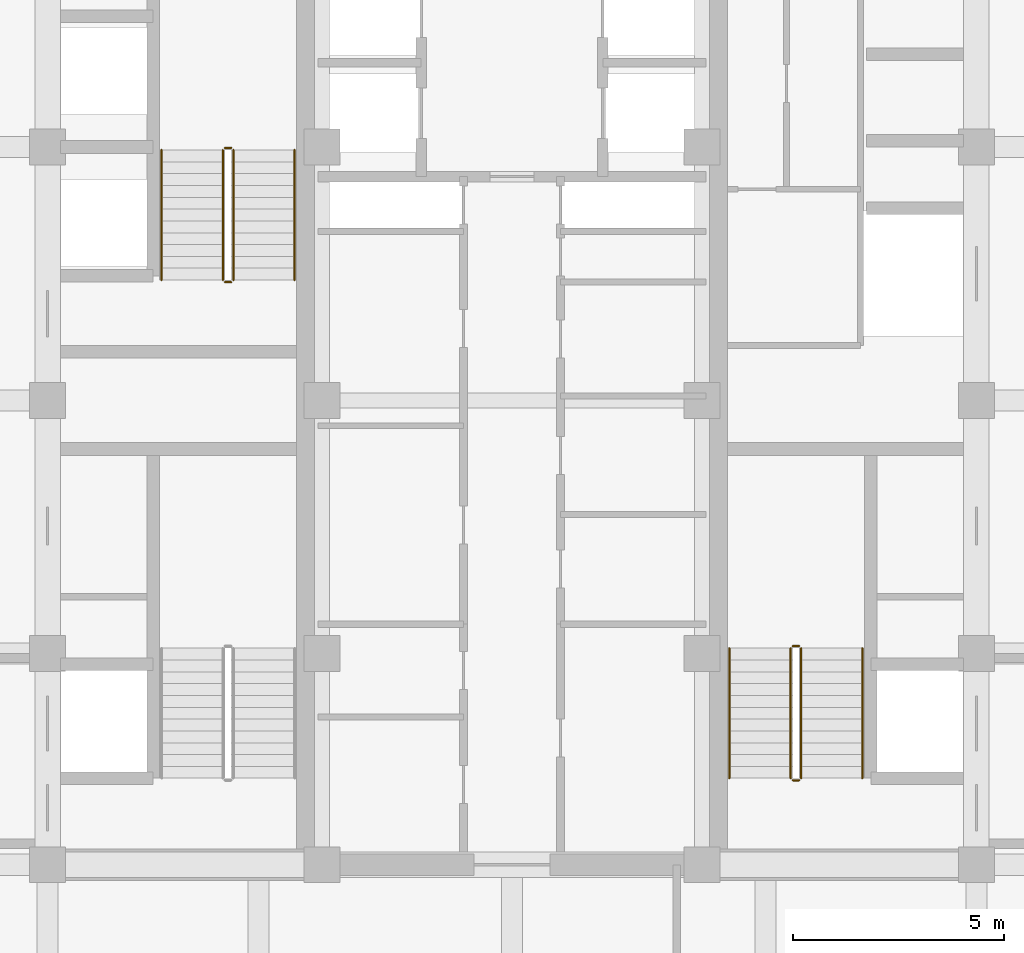
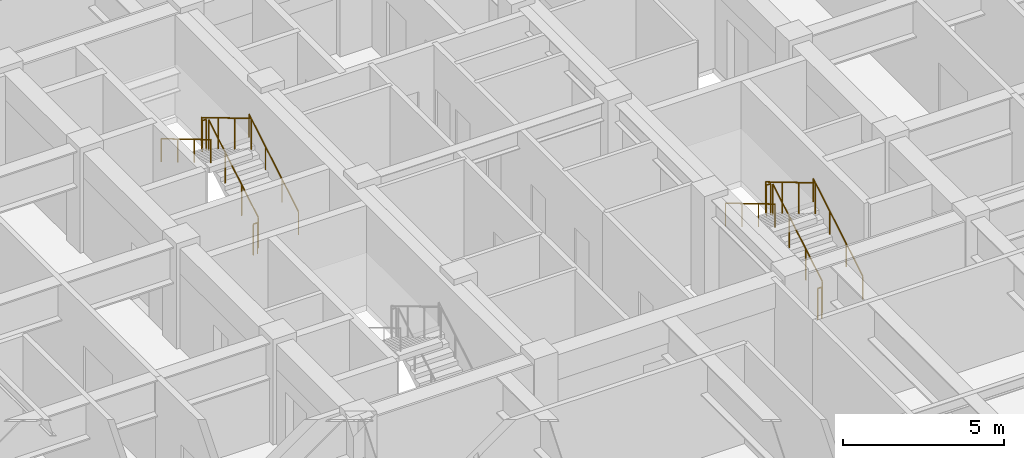
# One storey, part 26 of 26: 12 railings.
"""IFC4 building model written with IfcOpenShell, lengths in metres."""

import ifcopenshell
import ifcopenshell.guid

model = None  # the IFC model being written
_history = None  # IfcOwnerHistory: only IFC2X3 demands one
_inside = {}  # id of a spatial element -> (the spatial element, [elements in it])
_under = {}  # id of a project, library or spatial element -> (it, [spatial elements below it])
_declared = {}  # id of a project -> (the project, [libraries it declares])
_typed = {}  # id of a type object -> (the type object, [elements of that type])
_made_of = {}  # id of a material, layer set ... -> (it, [elements and type objects made of it])


def new_model(schema):
    """Start an empty IFC model of exactly this schema.

    Asked for "IFC4X3", IfcOpenShell would pick the latest addendum, in which some entities
    have other attributes; the version numbers below select the first issue.
    IFC2X3 requires an IfcOwnerHistory on every rooted entity: one is made here for all.
    """
    global model, _history
    if schema == "IFC4X3":
        model = ifcopenshell.file(schema_version=(4, 3, 0, 0))
    else:
        model = ifcopenshell.file(schema=schema)
    _inside.clear()
    _under.clear()
    _declared.clear()
    _typed.clear()
    _made_of.clear()
    _history = None
    if model.schema == "IFC2X3":
        org = make("IfcOrganization", Name="unknown")
        user = make(
            "IfcPersonAndOrganization",
            ThePerson=make("IfcPerson", FamilyName="unknown"),
            TheOrganization=org,
        )
        app = make(
            "IfcApplication",
            ApplicationDeveloper=org,
            Version="unknown",
            ApplicationFullName="unknown",
            ApplicationIdentifier="unknown",
        )
        _history = make(
            "IfcOwnerHistory",
            OwningUser=user,
            OwningApplication=app,
            ChangeAction="ADDED",
            CreationDate=0,
        )
    return model


def make(cls, **values):
    """One entity of the class cls with the attributes given. An attribute that is None is left unset."""
    return model.create_entity(
        cls, **{name: value for name, value in values.items() if value is not None}
    )


def rooted(cls, **values):
    """An entity with a GlobalId (a new one), such as an element, a storey or a relation."""
    return make(cls, GlobalId=ifcopenshell.guid.new(), OwnerHistory=_history, **values)


def si_unit(unit_type, name, prefix=None):
    """IfcSIUnit, for example si_unit("LENGTHUNIT", "METRE", prefix="MILLI")."""
    return make("IfcSIUnit", UnitType=unit_type, Prefix=prefix, Name=name)


def assignment(units):
    """IfcUnitAssignment: the units of a project."""
    return None if units is None else make("IfcUnitAssignment", Units=units)


def point(xyz):
    """IfcCartesianPoint."""
    return None if xyz is None else make("IfcCartesianPoint", Coordinates=xyz)


def direction(xyz):
    """IfcDirection."""
    return None if xyz is None else make("IfcDirection", DirectionRatios=xyz)


def frame(location, z_axis=None, x_axis=None):
    """IfcAxis2Placement3D, a coordinate frame: its origin and axes. An axis left out is left unset."""
    return make(
        "IfcAxis2Placement3D",
        Location=point(location),
        Axis=direction(z_axis),
        RefDirection=direction(x_axis),
    )


def frame_2d(location, x_axis=None):
    """IfcAxis2Placement2D, a coordinate frame in the plane: its origin and x axis."""
    return make(
        "IfcAxis2Placement2D", Location=point(location), RefDirection=direction(x_axis)
    )


def origin():
    """The frame at (0, 0, 0) with its axes left unset."""
    return frame((0.0, 0.0, 0.0))


def origin_2d():
    """The frame at (0, 0) in the plane with its x axis left unset."""
    return frame_2d((0.0, 0.0))


def place(relative_to, where):
    """IfcLocalPlacement: puts the frame where relative to a parent placement (None: the world)."""
    return make(
        "IfcLocalPlacement", PlacementRelTo=relative_to, RelativePlacement=where
    )


def context(
    kind, dimensions, precision=None, world=None, true_north=None, identifier=None
):
    """IfcGeometricRepresentationContext, for example the 3D "Model" context."""
    return make(
        "IfcGeometricRepresentationContext",
        ContextIdentifier=identifier,
        ContextType=kind,
        CoordinateSpaceDimension=dimensions,
        Precision=precision,
        WorldCoordinateSystem=world,
        TrueNorth=true_north,
    )


def subcontext(parent, identifier, kind, view, scale=None):
    """IfcGeometricRepresentationSubContext, for example "Body" below "Model"."""
    return make(
        "IfcGeometricRepresentationSubContext",
        ContextIdentifier=identifier,
        ContextType=kind,
        ParentContext=parent,
        TargetScale=scale,
        TargetView=view,
    )


def project(units=None, contexts=None):
    """IfcProject with its units and contexts."""
    return rooted(
        "IfcProject",
        Name="project",
        RepresentationContexts=contexts,
        UnitsInContext=assignment(units),
    )


def spatial(cls, under=None, at=None, **own):
    """A site, building, storey or space (cls), placed at a placement, below another one or the project."""
    s = rooted(cls, ObjectPlacement=at, **own)
    if under is not None:
        _under.setdefault(under.id(), (under, []))[1].append(s)
    return s


def profile(cls, at=None, kind="AREA", **sizes):
    """A parametric profile (cls). Its sizes go by their IFC names, for example OverallWidth=200.0."""
    return make(cls, ProfileType=kind, Position=at, **sizes)


def circle(**sizes):
    """IfcCircleProfileDef."""
    return profile("IfcCircleProfileDef", **sizes)


def extrude(swept, where, along, depth):
    """IfcExtrudedAreaSolid: the profile swept, set in the frame where, extruded along a direction by depth."""
    return make(
        "IfcExtrudedAreaSolid",
        SweptArea=swept,
        Position=where,
        ExtrudedDirection=direction(along),
        Depth=depth,
    )


def shape(context_of_items, identifier, shape_type, items):
    """IfcShapeRepresentation: the items that make up one representation, for example the "Body"."""
    return make(
        "IfcShapeRepresentation",
        ContextOfItems=context_of_items,
        RepresentationIdentifier=identifier,
        RepresentationType=shape_type,
        Items=items,
    )


def source(mapping_origin, context_of_items, identifier, shape_type, items):
    """IfcRepresentationMap: a shape defined once, which mapped items show again and again."""
    return make(
        "IfcRepresentationMap",
        MappingOrigin=mapping_origin,
        MappedRepresentation=shape(context_of_items, identifier, shape_type, items),
    )


def transform(
    local_origin,
    x_axis=None,
    y_axis=None,
    z_axis=None,
    scale=None,
    scale2=None,
    scale3=None,
    uniform=True,
):
    """IfcCartesianTransformationOperator3D, or its non-uniform kind. x_axis, y_axis, z_axis: its Axis1, 2, 3."""
    if uniform:
        return make(
            "IfcCartesianTransformationOperator3D",
            Axis1=direction(x_axis),
            Axis2=direction(y_axis),
            LocalOrigin=point(local_origin),
            Scale=scale,
            Axis3=direction(z_axis),
        )
    return make(
        "IfcCartesianTransformationOperator3DnonUniform",
        Axis1=direction(x_axis),
        Axis2=direction(y_axis),
        LocalOrigin=point(local_origin),
        Scale=scale,
        Axis3=direction(z_axis),
        Scale2=scale2,
        Scale3=scale3,
    )


def mapped(mapping_source, mapping_target):
    """IfcMappedItem: shows the shape of a source again, moved by a transform."""
    return make(
        "IfcMappedItem", MappingSource=mapping_source, MappingTarget=mapping_target
    )


def material(Name=None, Category=None):
    """IfcMaterial."""
    return make("IfcMaterial", Name=Name, Category=Category)


def made_of(thing, what):
    """Note that an element or type object is made of a material, layer set ...; save() writes the relation."""
    if what is not None:
        _made_of.setdefault(what.id(), (what, []))[1].append(thing)
    return thing


def type_object(cls, material=None, **own):
    """A type object (cls), such as IfcWallType, which elements share."""
    return made_of(rooted(cls, **own), material)


def element(
    cls,
    number,
    at=None,
    inside=None,
    cuts=None,
    type_object=None,
    material=None,
    context=None,
    identifier="Body",
    shape_type=None,
    held_by="IfcProductDefinitionShape",
    body=None,
    shapes=None,
    **own,
):
    """One element of the class cls, such as IfcWall. Its Tag is "e" and its number.

    at: its placement. inside: the storey or other place that contains it. cuts: it is an
    opening in that element (IfcRelVoidsElement). A single representation is given by context,
    identifier, shape_type and body (its items); several are given by shapes. held_by: the class
    of the entity that holds the representations. save() writes the other relations.
    """
    e = rooted(cls, Tag="e%d" % number, ObjectPlacement=at, **own)
    if body is not None:
        shapes = [shape(context, identifier, shape_type, body)]
    if shapes is not None:
        e.Representation = make(held_by, Representations=shapes)
    if inside is not None:
        _inside.setdefault(inside.id(), (inside, []))[1].append(e)
    if cuts is not None:
        rooted(
            "IfcRelVoidsElement", RelatingBuildingElement=cuts, RelatedOpeningElement=e
        )
    if type_object is not None:
        _typed.setdefault(type_object.id(), (type_object, []))[1].append(e)
    return made_of(e, material)


def aggregate(whole, parts):
    """IfcRelAggregates: a whole, such as a stair, and the parts it consists of."""
    return rooted("IfcRelAggregates", RelatingObject=whole, RelatedObjects=parts)


def save(model, path):
    """Write the relations noted so far, then the file.

    IfcRelAggregates (storeys below a building ...), IfcRelContainedInSpatialStructure (elements
    in a storey), IfcRelDefinesByType, IfcRelAssociatesMaterial and IfcRelDeclares: one each for
    every whole, place, type object, material and project.
    """
    for whole, parts in _under.values():
        aggregate(whole, parts)
    for where, things in _inside.values():
        rooted(
            "IfcRelContainedInSpatialStructure",
            RelatedElements=things,
            RelatingStructure=where,
        )
    for kind, things in _typed.values():
        rooted("IfcRelDefinesByType", RelatedObjects=things, RelatingType=kind)
    for what, things in _made_of.values():
        rooted("IfcRelAssociatesMaterial", RelatedObjects=things, RelatingMaterial=what)
    for by, libraries in _declared.values():
        rooted("IfcRelDeclares", RelatingContext=by, RelatedDefinitions=libraries)
    model.write(path)


model = new_model("IFC4")

# Units and contexts
model_context = context("Model", 3, precision=1e-05, world=origin(), true_north=direction((0.0, 1.0)))
body_context = subcontext(model_context, "Body", "Model", "MODEL_VIEW")
ifc_project = project(units=[si_unit("LENGTHUNIT", "METRE"), si_unit("AREAUNIT", "SQUARE_METRE"), si_unit("VOLUMEUNIT", "CUBIC_METRE"), si_unit("PLANEANGLEUNIT", "RADIAN"), si_unit("MASSUNIT", "GRAM", prefix="KILO")], contexts=[model_context])

# Site, building, storey
site_placement = place(None, origin())
site = spatial("IfcSite", under=ifc_project, at=site_placement, CompositionType="ELEMENT")
building_placement = place(site_placement, origin())
building = spatial("IfcBuilding", under=site, at=building_placement, Name="Khorayat Bourse Tower", CompositionType="ELEMENT")
storey_placement = place(building_placement, frame((0.0, 0.0, 207.10009765625)))
storey = spatial("IfcBuildingStorey", under=building, at=storey_placement, Name="L48", CompositionType="ELEMENT", Elevation=207.10009765625)

# Railings
ifc_material_1 = material(Name="Powder-coated steel balustrade", Category="steel")
railing_type_1 = type_object("IfcRailingType", Name="RLG-GUARD-1200", PredefinedType="GUARDRAIL", material=ifc_material_1)
shared_shape_1 = source(origin(), body_context, "Body", "SweptSolid", [
    extrude(circle(Radius=0.02392578125, at=origin_2d()), frame((0.0, 0.0, 1.17578125), z_axis=(-1.0, 0.0, 0.0), x_axis=(0.0, -1.0, 0.0)), (0.0, 0.0, 1.0), 0.150146484375),
    extrude(circle(Radius=0.02099609375, at=origin_2d()), origin(), (0.0, 0.0, 1.0), 1.15185546875),
    extrude(circle(Radius=0.02099609375, at=origin_2d()), frame((-0.150146484375, 0.0, 0.0)), (0.0, 0.0, 1.0), 1.15185546875),
])
for number, where, name in (
    (1, (-6.64990234375, 5.97998046875, 2.0), "L48 ST-2 stair guard 2"),
    (2, (-6.64990234375, 2.800048828125, 0.0), "L48 ST-2 stair guard 4"),
    (3, (6.800048828125, -5.820068359375, 2.0), "L48 ST-3 stair guard 2"),
    (4, (6.800048828125, -9.0, 0.0), "L48 ST-3 stair guard 4"),
):
    element("IfcRailing", number, at=place(storey_placement, frame(where)), inside=storey, type_object=railing_type_1, Name=name, PredefinedType="GUARDRAIL", context=body_context, shape_type="MappedRepresentation", body=[
        mapped(shared_shape_1, transform((0.0, 0.0, 0.0), scale=1.0)),
    ])
shared_shape_2 = source(origin(), body_context, "Body", "SweptSolid", [
    extrude(circle(Radius=0.02392578125, at=origin_2d()), frame((0.0, 0.0, 1.17578125), z_axis=(0.0, 0.859260807169, 0.511537745687), x_axis=(-1.0, 0.0, 0.0)), (0.0, 0.0, 1.0), 3.584228515625),
    extrude(circle(Radius=0.02099609375, at=origin_2d()), origin(), (0.0, 0.0, 1.0), 1.15185546875),
    extrude(circle(Radius=0.02099609375, at=origin_2d()), frame((0.0, 1.026611328125, 0.611083984375)), (0.0, 0.0, 1.0), 1.15185546875),
    extrude(circle(Radius=0.02099609375, at=origin_2d()), frame((0.0, 2.05322265625, 1.222412109375)), (0.0, 0.0, 1.0), 1.15185546875),
    extrude(circle(Radius=0.02099609375, at=origin_2d()), frame((0.0, 3.079833984375, 1.83349609375)), (0.0, 0.0, 1.0), 1.15185546875),
])
for number, where, name in (
    (5, (-6.60009765625, 2.85009765625, 0.16650390625), "L48 ST-2 stair guard 1"),
    (6, (6.85009765625, -8.949951171875, 0.16650390625), "L48 ST-3 stair guard 1"),
):
    element("IfcRailing", number, at=place(storey_placement, frame(where)), inside=storey, type_object=railing_type_1, Name=name, PredefinedType="GUARDRAIL", context=body_context, shape_type="MappedRepresentation", body=[
        mapped(shared_shape_2, transform((0.0, 0.0, 0.0), scale=1.0)),
    ])
shared_shape_3 = source(origin(), body_context, "Body", "SweptSolid", [
    extrude(circle(Radius=0.02392578125, at=origin_2d()), frame((0.0, 0.0, 1.17578125), z_axis=(0.0, -0.859260807169, 0.511537745687), x_axis=(1.0, 0.0, 0.0)), (0.0, 0.0, 1.0), 3.584228515625),
    extrude(circle(Radius=0.02099609375, at=origin_2d()), origin(), (0.0, 0.0, 1.0), 1.15185546875),
    extrude(circle(Radius=0.02099609375, at=origin_2d()), frame((0.0, -1.026611328125, 0.611083984375)), (0.0, 0.0, 1.0), 1.15185546875),
    extrude(circle(Radius=0.02099609375, at=origin_2d()), frame((0.0, -2.05322265625, 1.222412109375)), (0.0, 0.0, 1.0), 1.15185546875),
    extrude(circle(Radius=0.02099609375, at=origin_2d()), frame((0.0, -3.079833984375, 1.83349609375)), (0.0, 0.0, 1.0), 1.15185546875),
])
for number, where, name in (
    (7, (-6.85009765625, 5.929931640625, 2.16650390625), "L48 ST-2 stair guard 3"),
    (8, (6.60009765625, -5.8701171875, 2.16650390625), "L48 ST-3 stair guard 3"),
):
    element("IfcRailing", number, at=place(storey_placement, frame(where)), inside=storey, type_object=railing_type_1, Name=name, PredefinedType="GUARDRAIL", context=body_context, shape_type="MappedRepresentation", body=[
        mapped(shared_shape_3, transform((0.0, 0.0, 0.0), scale=1.0)),
    ])
ifc_material_2 = material(Name="Brushed bronze stainless-steel handrail", Category="steel")
railing_type_2 = type_object("IfcRailingType", Name="RLG-HAND-900", PredefinedType="HANDRAIL", material=ifc_material_2)
shared_shape_4 = source(origin(), body_context, "Body", "SweptSolid", [
    extrude(circle(Radius=0.02392578125, at=origin_2d()), frame((0.0, 0.0, 0.8759765625), z_axis=(0.0, 0.859260807169, 0.511537745687), x_axis=(-1.0, 0.0, 0.0)), (0.0, 0.0, 1.0), 3.584228515625),
    extrude(circle(Radius=0.02099609375, at=origin_2d()), origin(), (0.0, 0.0, 1.0), 0.851806640625),
    extrude(circle(Radius=0.02099609375, at=origin_2d()), frame((0.0, 1.026611328125, 0.611083984375)), (0.0, 0.0, 1.0), 0.851806640625),
    extrude(circle(Radius=0.02099609375, at=origin_2d()), frame((0.0, 2.05322265625, 1.222412109375)), (0.0, 0.0, 1.0), 0.851806640625),
    extrude(circle(Radius=0.02099609375, at=origin_2d()), frame((0.0, 3.079833984375, 1.83349609375)), (0.0, 0.0, 1.0), 0.851806640625),
])
for number, where, name in (
    (9, (-5.14990234375, 2.85009765625, 0.16650390625), "L48 ST-2 stair handrail 1"),
    (10, (8.300048828125, -8.949951171875, 0.16650390625), "L48 ST-3 stair handrail 1"),
):
    element("IfcRailing", number, at=place(storey_placement, frame(where)), inside=storey, type_object=railing_type_2, Name=name, PredefinedType="HANDRAIL", context=body_context, shape_type="MappedRepresentation", body=[
        mapped(shared_shape_4, transform((0.0, 0.0, 0.0), scale=1.0)),
    ])
shared_shape_5 = source(origin(), body_context, "Body", "SweptSolid", [
    extrude(circle(Radius=0.02392578125, at=origin_2d()), frame((0.0, 0.0, 0.8759765625), z_axis=(0.0, -0.859260807169, 0.511537745687), x_axis=(1.0, 0.0, 0.0)), (0.0, 0.0, 1.0), 3.584228515625),
    extrude(circle(Radius=0.02099609375, at=origin_2d()), origin(), (0.0, 0.0, 1.0), 0.851806640625),
    extrude(circle(Radius=0.02099609375, at=origin_2d()), frame((0.0, -1.026611328125, 0.611083984375)), (0.0, 0.0, 1.0), 0.851806640625),
    extrude(circle(Radius=0.02099609375, at=origin_2d()), frame((0.0, -2.05322265625, 1.222412109375)), (0.0, 0.0, 1.0), 0.851806640625),
    extrude(circle(Radius=0.02099609375, at=origin_2d()), frame((0.0, -3.079833984375, 1.83349609375)), (0.0, 0.0, 1.0), 0.851806640625),
])
for number, where, name in (
    (11, (-8.300048828125, 5.929931640625, 2.16650390625), "L48 ST-2 stair handrail 2"),
    (12, (5.14990234375, -5.8701171875, 2.16650390625), "L48 ST-3 stair handrail 2"),
):
    element("IfcRailing", number, at=place(storey_placement, frame(where)), inside=storey, type_object=railing_type_2, Name=name, PredefinedType="HANDRAIL", context=body_context, shape_type="MappedRepresentation", body=[
        mapped(shared_shape_5, transform((0.0, 0.0, 0.0), scale=1.0)),
    ])

save(model, "model.ifc")
